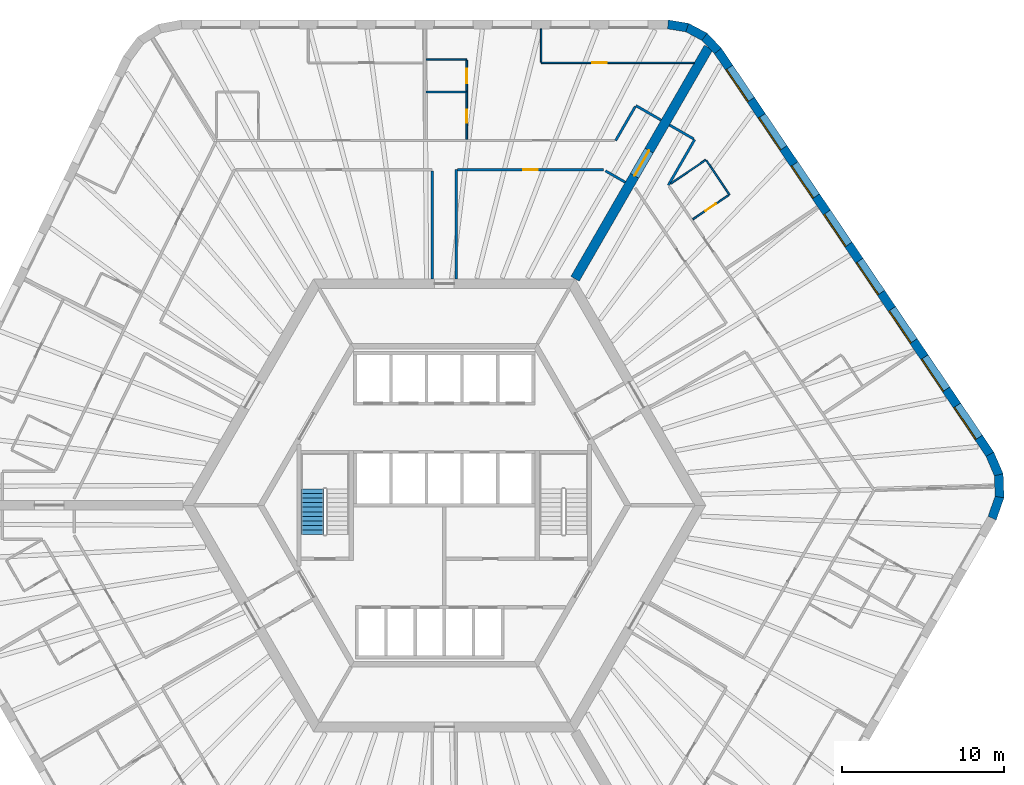
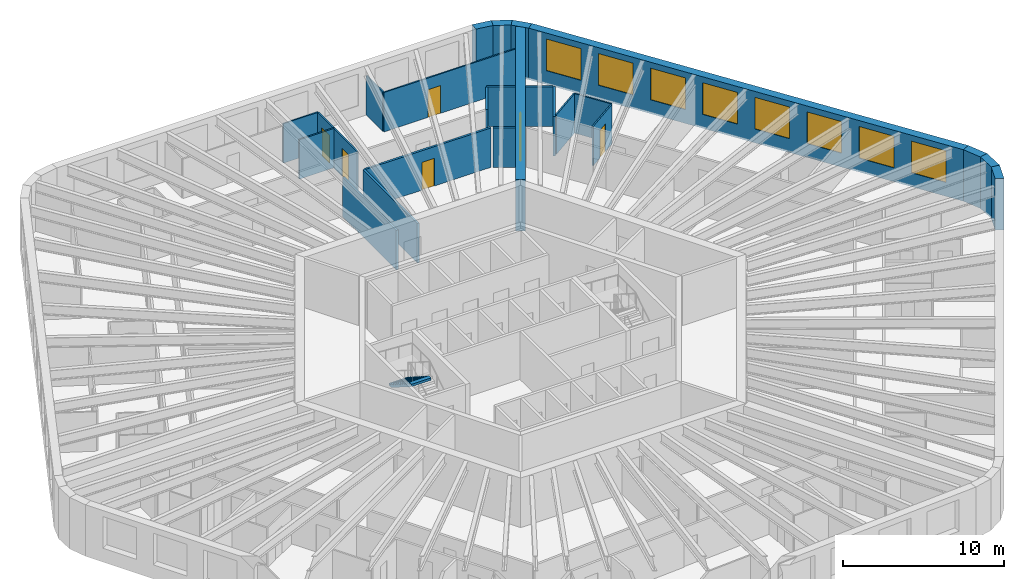
# One storey, part 10 of 12: 25 walls, 8 windows, 6 doors, 1 stair flight, 14 openings, 1 element without a shape of its own.
"""IFC4 building model written with IfcOpenShell, lengths in metres."""

from ifc_helpers import new_model, si_unit, direction, frame, frame_2d, origin, place, context, subcontext, project, spatial, polyline, rectangle, outline, extrude, material, layer, layer_set, type_object, element, fill, aggregate, save


model = new_model("IFC4")

# Units and contexts
model_context = context("Model", 3, precision=1e-05, world=origin(), true_north=direction((0.0, 1.0)))
body_context = subcontext(model_context, "Body", "Model", "MODEL_VIEW")
ifc_project = project(units=[si_unit("LENGTHUNIT", "METRE"), si_unit("AREAUNIT", "SQUARE_METRE"), si_unit("VOLUMEUNIT", "CUBIC_METRE"), si_unit("PLANEANGLEUNIT", "RADIAN"), si_unit("MASSUNIT", "GRAM", prefix="KILO")], contexts=[model_context])

# Site, building, storey
site_placement = place(None, origin())
site = spatial("IfcSite", under=ifc_project, at=site_placement, CompositionType="ELEMENT")
building_placement = place(site_placement, origin())
building = spatial("IfcBuilding", under=site, at=building_placement, Name="Tarnside Tower", CompositionType="ELEMENT")
storey_placement = place(building_placement, frame((0.0, 0.0, 53.10009765625)))
storey = spatial("IfcBuildingStorey", under=building, at=storey_placement, Name="L10", CompositionType="ELEMENT", Elevation=53.10009765625)

# Wall, opening, door
ifc_material_1 = material(Name="Gypsum board partition on steel studs", Category="steel")
ifc_layer_1 = layer(ifc_material_1, 0.10009765625)
ifc_layer_set_1 = layer_set([ifc_layer_1], Name="Bathroom wall 100")
wall_type_1 = type_object("IfcWallType", Name="Bathroom wall 100", PredefinedType="PARTITIONING", material=ifc_layer_set_1)
wall_1_placement = place(storey_placement, frame((1.388916015625, 25.550048828125, 0.0), z_axis=(0.0, 0.0, 1.0), x_axis=(0.0, -1.0, 0.0)))
wall_1 = element("IfcWall", 1, at=wall_1_placement, inside=storey, type_object=wall_type_1, Name="Bathroom wall 02072", PredefinedType="PARTITIONING", context=body_context, shape_type="SweptSolid", body=[
    extrude(rectangle(XDim=2.925048828125, YDim=0.10009765625, at=frame_2d((1.46240234375, 0.0))), origin(), (0.0, 0.0, 1.0), 2.98779296875),
])
opening_1_placement = place(wall_1_placement, frame((1.10009765625, 0.0, 0.0)))
opening_1 = element("IfcOpeningElement", 2, at=opening_1_placement, cuts=wall_1, Name="Opening D-B1", PredefinedType="OPENING", context=body_context, shape_type="SweptSolid", body=[
    extrude(rectangle(XDim=0.800048828125, YDim=2.10009765625, at=frame_2d((0.39990234375, 1.050048828125))), frame((0.0, 0.06005859375, 0.0), z_axis=(0.0, -1.0, 0.0), x_axis=(1.0, 0.0, 0.0)), (0.0, 0.0, 1.0), 0.1201171875),
])
ifc_material_2 = material(Name="Timber door leaf", Category="wood")
door_type_1 = type_object("IfcDoorType", Name="Bathroom door 800", OperationType="NOTDEFINED", PredefinedType="DOOR", material=ifc_material_2)
door_1_placement = place(opening_1_placement, origin())
door_1 = element("IfcDoor", 3, at=door_1_placement, inside=storey, type_object=door_type_1, Name="Bathroom door 02002", OperationType="SINGLE_SWING_LEFT", OverallHeight=2.10009765625, OverallWidth=0.800048828125, PredefinedType="DOOR", context=body_context, shape_type="SweptSolid", body=[
    extrude(rectangle(XDim=0.800048828125, YDim=2.10009765625, at=frame_2d((0.39990234375, 1.050048828125))), frame((0.0, 0.02490234375, 0.0), z_axis=(0.0, -1.0, 0.0), x_axis=(1.0, 0.0, 0.0)), (0.0, 0.0, 1.0), 0.050048828125),
])
fill(opening_1, door_1)

# Walls
wall_2_placement = place(storey_placement, frame((1.3388671875, 25.550048828125, 0.0), z_axis=(0.0, 0.0, 1.0), x_axis=(-1.0, 0.0, 0.0)))
element("IfcWall", 4, at=wall_2_placement, inside=storey, type_object=wall_type_1, Name="Bathroom wall 02078", PredefinedType="PARTITIONING", context=body_context, shape_type="SweptSolid", body=[
    extrude(rectangle(XDim=2.4599609375, YDim=0.10009765625, at=frame_2d((1.22998046875, 0.0))), origin(), (0.0, 0.0, 1.0), 2.98779296875),
])
wall_3_placement = place(storey_placement, frame((13.992919921875, 19.886474609375, 0.0), z_axis=(0.0, 0.0, 1.0), x_axis=(0.829009051057, 0.559235186005, 0.0)))
element("IfcWall", 5, at=wall_3_placement, inside=storey, type_object=wall_type_1, Name="Bathroom wall 02151", PredefinedType="PARTITIONING", context=body_context, shape_type="SweptSolid", body=[
    extrude(rectangle(XDim=2.62890625, YDim=0.10009765625, at=frame_2d((1.314453125, 0.0))), origin(), (0.0, 0.0, 1.0), 2.98779296875),
])
wall_4_placement = place(storey_placement, frame((16.200439453125, 21.315185546875, 0.0), z_axis=(0.0, 0.0, 1.0), x_axis=(0.559155442782, -0.829062838878, 0.0)))
element("IfcWall", 6, at=wall_4_placement, inside=storey, type_object=wall_type_1, Name="Bathroom wall 02152", PredefinedType="PARTITIONING", context=body_context, shape_type="SweptSolid", body=[
    extrude(rectangle(XDim=2.5498046875, YDim=0.10009765625, at=frame_2d((1.27490234375, 0.0))), origin(), (0.0, 0.0, 1.0), 2.98779296875),
])

# Wall, opening, door
wall_5_placement = place(storey_placement, frame((17.5849609375, 19.173095703125, 0.0), z_axis=(0.0, 0.0, 1.0), x_axis=(-0.82904753069, -0.559178139645, 0.0)))
wall_5 = element("IfcWall", 7, at=wall_5_placement, inside=storey, type_object=wall_type_1, Name="Bathroom wall 02153", PredefinedType="PARTITIONING", context=body_context, shape_type="SweptSolid", body=[
    extrude(rectangle(XDim=2.675048828125, YDim=0.10009765625, at=frame_2d((1.33740234375, 0.0))), origin(), (0.0, 0.0, 1.0), 2.98779296875),
])
opening_2_placement = place(wall_5_placement, frame((0.949951171875, 0.0, 0.0)))
opening_2 = element("IfcOpeningElement", 8, at=opening_2_placement, cuts=wall_5, Name="Opening D-B1", PredefinedType="OPENING", context=body_context, shape_type="SweptSolid", body=[
    extrude(rectangle(XDim=0.800048828125, YDim=2.10009765625, at=frame_2d((0.39990234375, 1.050048828125))), frame((0.0, 0.06005859375, 0.0), z_axis=(0.0, -1.0, 0.0), x_axis=(1.0, 0.0, 0.0)), (0.0, 0.0, 1.0), 0.1201171875),
])
door_2_placement = place(opening_2_placement, origin())
door_2 = element("IfcDoor", 9, at=door_2_placement, inside=storey, type_object=door_type_1, Name="Bathroom door 02040", OperationType="SINGLE_SWING_RIGHT", OverallHeight=2.10009765625, OverallWidth=0.800048828125, PredefinedType="DOOR", context=body_context, shape_type="SweptSolid", body=[
    extrude(rectangle(XDim=0.800048828125, YDim=2.10009765625, at=frame_2d((0.39990234375, 1.050048828125))), frame((0.0, 0.02490234375, 0.0), z_axis=(0.0, -1.0, 0.0), x_axis=(1.0, 0.0, 0.0)), (0.0, 0.0, 1.0), 0.050048828125),
])
fill(opening_2, door_2)

ifc_material_3 = material(Name="Concrete C80/95", Category="concrete")
ifc_layer_2 = layer(ifc_material_3, 0.60009765625)
ifc_layer_set_2 = layer_set([ifc_layer_2], Name="Core wall Z1 600 C80/95")
wall_type_2 = type_object("IfcWallType", Name="Core wall Z1 600 C80/95", PredefinedType="SHEAR", material=ifc_layer_set_2)
wall_6_placement = place(storey_placement, frame((8.0830078125, 14.0, -0.150146484375), z_axis=(0.0, 0.0, 1.0), x_axis=(0.499997680643, 0.866026742862, 0.0)))
wall_6 = element("IfcWall", 10, at=wall_6_placement, inside=storey, type_object=wall_type_2, Name="L10 spine wall 1", PredefinedType="SHEAR", context=body_context, shape_type="SweptSolid", body=[
    extrude(rectangle(XDim=16.5087890625, YDim=0.60009765625, at=frame_2d((8.25439453125, 0.0))), origin(), (0.0, 0.0, 1.0), 3.900146484375),
])
opening_3_placement = place(wall_6_placement, frame((7.3544921875, 0.0, 0.14990234375)))
opening_3 = element("IfcOpeningElement", 11, at=opening_3_placement, cuts=wall_6, Name="Opening CD-SPN", PredefinedType="OPENING", context=body_context, shape_type="SweptSolid", body=[
    extrude(rectangle(XDim=1.800048828125, YDim=2.39990234375, at=frame_2d((0.89990234375, 1.199951171875))), frame((0.0, 0.31005859375, 0.0), z_axis=(0.0, -1.0, 0.0), x_axis=(1.0, 0.0, 0.0)), (0.0, 0.0, 1.0), 0.6201171875),
])
ifc_material_4 = material(Name="Steel fire door", Category="steel")
door_type_2 = type_object("IfcDoorType", Name="Spine passage double door FD60 1800x2400", OperationType="NOTDEFINED", PredefinedType="DOOR", material=ifc_material_4)
door_3_placement = place(opening_3_placement, origin())
door_3 = element("IfcDoor", 12, at=door_3_placement, inside=storey, type_object=door_type_2, Name="L10 spine passage door 1", OperationType="DOUBLE_DOOR_SINGLE_SWING", OverallHeight=2.39990234375, OverallWidth=1.800048828125, PredefinedType="DOOR", context=body_context, shape_type="SweptSolid", body=[
    extrude(rectangle(XDim=1.800048828125, YDim=2.39990234375, at=frame_2d((0.89990234375, 1.199951171875))), frame((0.0, 0.02490234375, 0.0), z_axis=(0.0, -1.0, 0.0), x_axis=(1.0, 0.0, 0.0)), (0.0, 0.0, 1.0), 0.050048828125),
])
fill(opening_3, door_3)

# Walls
ifc_layer_3 = layer(ifc_material_1, 0.14990234375)
ifc_layer_set_3 = layer_set([ifc_layer_3], Name="Corridor wall 150 EI 60")
wall_type_3 = type_object("IfcWallType", Name="Corridor wall 150 EI 60", PredefinedType="PARTITIONING", material=ifc_layer_set_3)
wall_7_placement = place(storey_placement, frame((13.400390625, 23.81005859375, 0.0), z_axis=(0.0, 0.0, 1.0), x_axis=(-0.865989075817, 0.500062916607, 0.0)))
element("IfcWall", 13, at=wall_7_placement, inside=storey, type_object=wall_type_3, Name="Corridor wall 02001", PredefinedType="PARTITIONING", context=body_context, shape_type="SweptSolid", body=[
    extrude(rectangle(XDim=1.800048828125, YDim=0.14990234375, at=frame_2d((0.89990234375, 0.0))), origin(), (0.0, 0.0, 1.0), 2.98779296875),
])
wall_8_placement = place(storey_placement, frame((11.803955078125, 24.64501953125, 0.0), z_axis=(0.0, 0.0, 1.0), x_axis=(-0.499981632079, -0.866036008249, 0.0)))
element("IfcWall", 14, at=wall_8_placement, inside=storey, type_object=wall_type_3, Name="Corridor wall 02002", PredefinedType="PARTITIONING", context=body_context, shape_type="SweptSolid", body=[
    extrude(rectangle(XDim=2.4189453125, YDim=0.14990234375, at=frame_2d((1.20947265625, 0.0))), origin(), (0.0, 0.0, 1.0), 2.98779296875),
])
wall_9_placement = place(storey_placement, frame((-0.75, 20.675048828125, 0.0), z_axis=(0.0, 0.0, 1.0), x_axis=(0.0, -1.0, 0.0)))
element("IfcWall", 15, at=wall_9_placement, inside=storey, type_object=wall_type_3, Name="Corridor wall 02016", PredefinedType="PARTITIONING", context=body_context, shape_type="SweptSolid", body=[
    extrude(rectangle(XDim=6.675048828125, YDim=0.14990234375, at=frame_2d((3.33740234375, 0.0))), origin(), (0.0, 0.0, 1.0), 2.98779296875),
])
wall_10_placement = place(storey_placement, frame((0.75, 14.0, 0.0), z_axis=(0.0, 0.0, 1.0), x_axis=(0.0, 1.0, 0.0)))
element("IfcWall", 16, at=wall_10_placement, inside=storey, type_object=wall_type_3, Name="Corridor wall 02017", PredefinedType="PARTITIONING", context=body_context, shape_type="SweptSolid", body=[
    extrude(rectangle(XDim=6.75, YDim=0.14990234375, at=frame_2d((3.375, 0.0))), origin(), (0.0, 0.0, 1.0), 2.98779296875),
])

# Wall, opening, door
wall_11_placement = place(storey_placement, frame((0.824951171875, 20.75, 0.0), z_axis=(0.0, 0.0, 1.0), x_axis=(1.0, 0.0, 0.0)))
wall_11 = element("IfcWall", 17, at=wall_11_placement, inside=storey, type_object=wall_type_3, Name="Corridor wall 02018", PredefinedType="PARTITIONING", context=body_context, shape_type="SweptSolid", body=[
    extrude(rectangle(XDim=9.008056640625, YDim=0.14990234375, at=frame_2d((4.50390625, 0.0))), origin(), (0.0, 0.0, 1.0), 2.98779296875),
])
opening_4_placement = place(wall_11_placement, frame((4.053955078125, 0.0, 0.0)))
opening_4 = element("IfcOpeningElement", 18, at=opening_4_placement, cuts=wall_11, Name="Opening D-S1", PredefinedType="OPENING", context=body_context, shape_type="SweptSolid", body=[
    extrude(rectangle(XDim=0.89990234375, YDim=2.10009765625, at=frame_2d((0.449951171875, 1.050048828125))), frame((0.0, 0.0849609375, 0.0), z_axis=(0.0, -1.0, 0.0), x_axis=(1.0, 0.0, 0.0)), (0.0, 0.0, 1.0), 0.169921875),
])
door_type_3 = type_object("IfcDoorType", Name="Service room door 900 FD30S", OperationType="NOTDEFINED", PredefinedType="DOOR", material=ifc_material_2)
door_4_placement = place(opening_4_placement, origin())
door_4 = element("IfcDoor", 19, at=door_4_placement, inside=storey, type_object=door_type_3, Name="Service door 02042", OperationType="SINGLE_SWING_LEFT", OverallHeight=2.10009765625, OverallWidth=0.89990234375, PredefinedType="DOOR", context=body_context, shape_type="SweptSolid", body=[
    extrude(rectangle(XDim=0.89990234375, YDim=2.10009765625, at=frame_2d((0.449951171875, 1.050048828125))), frame((0.0, 0.02490234375, 0.0), z_axis=(0.0, -1.0, 0.0), x_axis=(1.0, 0.0, 0.0)), (0.0, 0.0, 1.0), 0.050048828125),
])
fill(opening_4, door_4)

# Walls
wall_12_placement = place(storey_placement, frame((9.962890625, 20.675048828125, 0.0), z_axis=(0.0, 0.0, 1.0), x_axis=(0.865963438852, -0.500107311056, 0.0)))
element("IfcWall", 20, at=wall_12_placement, inside=storey, type_object=wall_type_3, Name="Corridor wall 02019", PredefinedType="PARTITIONING", context=body_context, shape_type="SweptSolid", body=[
    extrude(rectangle(XDim=1.409423828125, YDim=0.14990234375, at=frame_2d((0.70458984375, 0.0))), origin(), (0.0, 0.0, 1.0), 2.98779296875),
])
wall_13_placement = place(storey_placement, frame((13.85107421875, 19.790771484375, 0.0), z_axis=(0.0, 0.0, 1.0), x_axis=(0.499986449875, 0.866033226812, 0.0)))
element("IfcWall", 21, at=wall_13_placement, inside=storey, type_object=wall_type_3, Name="Corridor wall 02059", PredefinedType="PARTITIONING", context=body_context, shape_type="SweptSolid", body=[
    extrude(rectangle(XDim=3.25537109375, YDim=0.14990234375, at=frame_2d((1.627685546875, 0.0))), origin(), (0.0, 0.0, 1.0), 2.98779296875),
])
wall_14_placement = place(storey_placement, frame((15.413818359375, 22.647705078125, 0.0), z_axis=(0.0, 0.0, 1.0), x_axis=(-0.866074815912, 0.499914405916, 0.0)))
element("IfcWall", 22, at=wall_14_placement, inside=storey, type_object=wall_type_3, Name="Corridor wall 02060", PredefinedType="PARTITIONING", context=body_context, shape_type="SweptSolid", body=[
    extrude(rectangle(XDim=1.724853515625, YDim=0.14990234375, at=frame_2d((0.8623046875, 0.0))), origin(), (0.0, 0.0, 1.0), 2.98779296875),
])
ifc_layer_4 = layer(ifc_material_1, 0.10009765625)
ifc_layer_set_4 = layer_set([ifc_layer_4], Name="Partition 100")
wall_type_4 = type_object("IfcWallType", Name="Partition 100", PredefinedType="PARTITIONING", material=ifc_layer_set_4)
wall_15_placement = place(storey_placement, frame((-1.12109375, 27.550048828125, 0.0), z_axis=(0.0, 0.0, 1.0), x_axis=(1.0, 0.0, 0.0)))
element("IfcWall", 23, at=wall_15_placement, inside=storey, type_object=wall_type_4, Name="Partition wall 02073", PredefinedType="PARTITIONING", context=body_context, shape_type="SweptSolid", body=[
    extrude(rectangle(XDim=2.510009765625, YDim=0.10009765625, at=frame_2d((1.2548828125, 0.0))), origin(), (0.0, 0.0, 1.0), 2.98779296875),
])

# Wall, opening, door
wall_16_placement = place(storey_placement, frame((1.388916015625, 27.5, 0.0), z_axis=(0.0, 0.0, 1.0), x_axis=(0.0, -1.0, 0.0)))
wall_16 = element("IfcWall", 24, at=wall_16_placement, inside=storey, type_object=wall_type_4, Name="Partition wall 02074", PredefinedType="PARTITIONING", context=body_context, shape_type="SweptSolid", body=[
    extrude(rectangle(XDim=1.89990234375, YDim=0.10009765625, at=frame_2d((0.949951171875, 0.0))), origin(), (0.0, 0.0, 1.0), 2.98779296875),
])
opening_5_placement = place(wall_16_placement, frame((0.5, 0.0, 0.0)))
opening_5 = element("IfcOpeningElement", 25, at=opening_5_placement, cuts=wall_16, Name="Opening D-I1", PredefinedType="OPENING", context=body_context, shape_type="SweptSolid", body=[
    extrude(rectangle(XDim=0.89990234375, YDim=2.10009765625, at=frame_2d((0.449951171875, 1.050048828125))), frame((0.0, 0.06005859375, 0.0), z_axis=(0.0, -1.0, 0.0), x_axis=(1.0, 0.0, 0.0)), (0.0, 0.0, 1.0), 0.1201171875),
])
door_type_4 = type_object("IfcDoorType", Name="Internal door 900", OperationType="NOTDEFINED", PredefinedType="DOOR", material=ifc_material_2)
door_5_placement = place(opening_5_placement, origin())
door_5 = element("IfcDoor", 26, at=door_5_placement, inside=storey, type_object=door_type_4, Name="Internal door 02003", OperationType="SINGLE_SWING_RIGHT", OverallHeight=2.10009765625, OverallWidth=0.89990234375, PredefinedType="DOOR", context=body_context, shape_type="SweptSolid", body=[
    extrude(rectangle(XDim=0.89990234375, YDim=2.10009765625, at=frame_2d((0.449951171875, 1.050048828125))), frame((0.0, 0.02490234375, 0.0), z_axis=(0.0, -1.0, 0.0), x_axis=(1.0, 0.0, 0.0)), (0.0, 0.0, 1.0), 0.050048828125),
])
fill(opening_5, door_5)

wall_17_placement = place(storey_placement, frame((15.444091796875, 27.35009765625, 0.0), z_axis=(0.0, 0.0, 1.0), x_axis=(-1.0, 0.0, 0.0)))
wall_17 = element("IfcWall", 27, at=wall_17_placement, inside=storey, type_object=wall_type_4, Name="Partition wall 02075", PredefinedType="PARTITIONING", context=body_context, shape_type="SweptSolid", body=[
    extrude(rectangle(XDim=9.455078125, YDim=0.10009765625, at=frame_2d((4.7275390625, 0.0))), origin(), (0.0, 0.0, 1.0), 2.98779296875),
])
opening_6_placement = place(wall_17_placement, frame((5.4052734375, 0.0, 0.0)))
opening_6 = element("IfcOpeningElement", 28, at=opening_6_placement, cuts=wall_17, Name="Opening D-I1", PredefinedType="OPENING", context=body_context, shape_type="SweptSolid", body=[
    extrude(rectangle(XDim=0.89990234375, YDim=2.10009765625, at=frame_2d((0.449951171875, 1.050048828125))), frame((0.0, 0.06005859375, 0.0), z_axis=(0.0, -1.0, 0.0), x_axis=(1.0, 0.0, 0.0)), (0.0, 0.0, 1.0), 0.1201171875),
])
door_6_placement = place(opening_6_placement, origin())
door_6 = element("IfcDoor", 29, at=door_6_placement, inside=storey, type_object=door_type_4, Name="Internal door 02004", OperationType="SINGLE_SWING_LEFT", OverallHeight=2.10009765625, OverallWidth=0.89990234375, PredefinedType="DOOR", context=body_context, shape_type="SweptSolid", body=[
    extrude(rectangle(XDim=0.89990234375, YDim=2.10009765625, at=frame_2d((0.449951171875, 1.050048828125))), frame((0.0, 0.02490234375, 0.0), z_axis=(0.0, -1.0, 0.0), x_axis=(1.0, 0.0, 0.0)), (0.0, 0.0, 1.0), 0.050048828125),
])
fill(opening_6, door_6)

# Walls
wall_18_placement = place(storey_placement, frame((5.989013671875, 27.39990234375, 0.0), z_axis=(0.0, 0.0, 1.0), x_axis=(0.0, 1.0, 0.0)))
element("IfcWall", 30, at=wall_18_placement, inside=storey, type_object=wall_type_4, Name="Partition wall 02076", PredefinedType="PARTITIONING", context=body_context, shape_type="SweptSolid", body=[
    extrude(rectangle(XDim=2.050048828125, YDim=0.10009765625, at=frame_2d((1.02490234375, 0.0))), origin(), (0.0, 0.0, 1.0), 2.98779296875),
])
ifc_material_5 = material(Name="Facing brick", Category="masonry")
ifc_layer_5 = layer(ifc_material_5, 0.10205078125)
ifc_material_6 = material(Name="Concrete C60/75 precast", Category="concrete")
ifc_layer_6 = layer(ifc_material_6, 0.347900390625)
ifc_material_7 = material(Name="Mineral wool insulation")
ifc_layer_7 = layer(ifc_material_7, 0.10009765625)
ifc_layer_set_5 = layer_set([ifc_layer_5, ifc_layer_6, ifc_layer_7], Name="Tube wall 550 brick faced")
wall_type_5 = type_object("IfcWallType", Name="Tube wall 550 brick faced", PredefinedType="SOLIDWALL", material=ifc_layer_set_5)
wall_19_placement = place(storey_placement, frame((33.865966796875, -0.79248046875, -0.150146484375), z_axis=(0.0, 0.0, 1.0), x_axis=(0.33111537203, 0.943590276765, 0.0)))
element("IfcWall", 31, at=wall_19_placement, inside=storey, type_object=wall_type_5, Name="Tube wall L10 F5 chord 17", PredefinedType="SOLIDWALL", context=body_context, shape_type="SweptSolid", body=[
    extrude(outline(polyline([(-0.025634765625, -0.27490234375), (1.4306640625, -0.27490234375), (1.3271484375, 0.27490234375), (0.025634765625, 0.27490234375), (-0.025634765625, -0.27490234375)])), origin(), (0.0, 0.0, 1.0), 3.900146484375),
])
wall_20_placement = place(storey_placement, frame((34.322509765625, 0.508544921875, -0.150146484375), z_axis=(0.0, 0.0, 1.0), x_axis=(-0.034876908462, 0.999391615562, 0.0)))
element("IfcWall", 32, at=wall_20_placement, inside=storey, type_object=wall_type_5, Name="Tube wall L10 F5 chord 18", PredefinedType="SOLIDWALL", context=body_context, shape_type="SweptSolid", body=[
    extrude(outline(polyline([(-0.0517578125, -0.27490234375), (1.4306640625, -0.27490234375), (1.3271484375, 0.27490234375), (0.0517578125, 0.27490234375), (-0.0517578125, -0.27490234375)])), origin(), (0.0, 0.0, 1.0), 3.900146484375),
])
wall_21_placement = place(storey_placement, frame((34.2744140625, 1.88671875, -0.150146484375), z_axis=(0.0, 0.0, 1.0), x_axis=(-0.396161342798, 0.918180913803, 0.0)))
element("IfcWall", 33, at=wall_21_placement, inside=storey, type_object=wall_type_5, Name="Tube wall L10 F5 chord 19", PredefinedType="SOLIDWALL", context=body_context, shape_type="SweptSolid", body=[
    extrude(outline(polyline([(-0.0517578125, -0.27490234375), (1.40478515625, -0.27490234375), (1.353515625, 0.27490234375), (0.0517578125, 0.27490234375), (-0.0517578125, -0.27490234375)])), origin(), (0.0, 0.0, 1.0), 3.900146484375),
])

# Wall, openings, windows
wall_22_placement = place(storey_placement, frame((33.72802734375, 3.153076171875, -0.150146484375), z_axis=(0.0, 0.0, 1.0), x_axis=(-0.559192411416, 0.82903790445, 0.0)))
wall_22 = element("IfcWall", 34, at=wall_22_placement, inside=storey, type_object=wall_type_5, Name="Tube wall L10 F6 flush 20", PredefinedType="SOLIDWALL", context=body_context, shape_type="SweptSolid", body=[
    extrude(outline(polyline([(-0.025634765625, -0.27490234375), (30.09326171875, -0.27490234375), (30.04833984375, 0.27490234375), (0.025634765625, 0.27490234375), (-0.025634765625, -0.27490234375)])), origin(), (0.0, 0.0, 1.0), 3.900146484375),
])
opening_7_placement = place(wall_22_placement, frame((1.235595703125, 0.0, 1.050048828125)))
opening_7 = element("IfcOpeningElement", 35, at=opening_7_placement, cuts=wall_22, Name="Opening WH", PredefinedType="OPENING", context=body_context, shape_type="SweptSolid", body=[
    extrude(rectangle(XDim=2.39990234375, YDim=2.39990234375, at=frame_2d((1.199951171875, 1.199951171875))), frame((0.0, 0.28515625, 0.0), z_axis=(0.0, -1.0, 0.0), x_axis=(1.0, 0.0, 0.0)), (0.0, 0.0, 1.0), 0.570068359375),
])
opening_8_placement = place(wall_22_placement, frame((4.83544921875, 0.0, 1.050048828125)))
opening_8 = element("IfcOpeningElement", 36, at=opening_8_placement, cuts=wall_22, Name="Opening WH", PredefinedType="OPENING", context=body_context, shape_type="SweptSolid", body=[
    extrude(rectangle(XDim=2.39990234375, YDim=2.39990234375, at=frame_2d((1.199951171875, 1.199951171875))), frame((0.0, 0.28515625, 0.0), z_axis=(0.0, -1.0, 0.0), x_axis=(1.0, 0.0, 0.0)), (0.0, 0.0, 1.0), 0.570068359375),
])
opening_9_placement = place(wall_22_placement, frame((8.435546875, 0.0, 1.050048828125)))
opening_9 = element("IfcOpeningElement", 37, at=opening_9_placement, cuts=wall_22, Name="Opening WH", PredefinedType="OPENING", context=body_context, shape_type="SweptSolid", body=[
    extrude(rectangle(XDim=2.39990234375, YDim=2.39990234375, at=frame_2d((1.199951171875, 1.199951171875))), frame((0.0, 0.28515625, 0.0), z_axis=(0.0, -1.0, 0.0), x_axis=(1.0, 0.0, 0.0)), (0.0, 0.0, 1.0), 0.570068359375),
])
opening_10_placement = place(wall_22_placement, frame((12.035400390625, 0.0, 1.050048828125)))
opening_10 = element("IfcOpeningElement", 38, at=opening_10_placement, cuts=wall_22, Name="Opening WH", PredefinedType="OPENING", context=body_context, shape_type="SweptSolid", body=[
    extrude(rectangle(XDim=2.39990234375, YDim=2.39990234375, at=frame_2d((1.199951171875, 1.199951171875))), frame((0.0, 0.28515625, 0.0), z_axis=(0.0, -1.0, 0.0), x_axis=(1.0, 0.0, 0.0)), (0.0, 0.0, 1.0), 0.570068359375),
])
opening_11_placement = place(wall_22_placement, frame((15.635498046875, 0.0, 1.050048828125)))
opening_11 = element("IfcOpeningElement", 39, at=opening_11_placement, cuts=wall_22, Name="Opening WH", PredefinedType="OPENING", context=body_context, shape_type="SweptSolid", body=[
    extrude(rectangle(XDim=2.39990234375, YDim=2.39990234375, at=frame_2d((1.199951171875, 1.199951171875))), frame((0.0, 0.28515625, 0.0), z_axis=(0.0, -1.0, 0.0), x_axis=(1.0, 0.0, 0.0)), (0.0, 0.0, 1.0), 0.570068359375),
])
opening_12_placement = place(wall_22_placement, frame((19.235595703125, 0.0, 1.050048828125)))
opening_12 = element("IfcOpeningElement", 40, at=opening_12_placement, cuts=wall_22, Name="Opening WH", PredefinedType="OPENING", context=body_context, shape_type="SweptSolid", body=[
    extrude(rectangle(XDim=2.39990234375, YDim=2.39990234375, at=frame_2d((1.199951171875, 1.199951171875))), frame((0.0, 0.28515625, 0.0), z_axis=(0.0, -1.0, 0.0), x_axis=(1.0, 0.0, 0.0)), (0.0, 0.0, 1.0), 0.570068359375),
])
opening_13_placement = place(wall_22_placement, frame((22.83544921875, 0.0, 1.050048828125)))
opening_13 = element("IfcOpeningElement", 41, at=opening_13_placement, cuts=wall_22, Name="Opening WH", PredefinedType="OPENING", context=body_context, shape_type="SweptSolid", body=[
    extrude(rectangle(XDim=2.39990234375, YDim=2.39990234375, at=frame_2d((1.199951171875, 1.199951171875))), frame((0.0, 0.28515625, 0.0), z_axis=(0.0, -1.0, 0.0), x_axis=(1.0, 0.0, 0.0)), (0.0, 0.0, 1.0), 0.570068359375),
])
opening_14_placement = place(wall_22_placement, frame((26.435546875, 0.0, 1.050048828125)))
opening_14 = element("IfcOpeningElement", 42, at=opening_14_placement, cuts=wall_22, Name="Opening WH", PredefinedType="OPENING", context=body_context, shape_type="SweptSolid", body=[
    extrude(rectangle(XDim=2.39990234375, YDim=2.39990234375, at=frame_2d((1.199951171875, 1.199951171875))), frame((0.0, 0.28515625, 0.0), z_axis=(0.0, -1.0, 0.0), x_axis=(1.0, 0.0, 0.0)), (0.0, 0.0, 1.0), 0.570068359375),
])
ifc_material_8 = material(Name="Aluminium-framed double glazing", Category="aluminium")
window_type = type_object("IfcWindowType", Name="Hotel window 2400 x 2400", PartitioningType="DOUBLE_PANEL_VERTICAL", PredefinedType="WINDOW", material=ifc_material_8)
window_1_placement = place(opening_7_placement, frame((0.0, 0.205078125, 0.0)))
window_1 = element("IfcWindow", 43, at=window_1_placement, inside=storey, type_object=window_type, Name="E.WN.L10.F6.00", OverallHeight=2.39990234375, OverallWidth=2.39990234375, PartitioningType="DOUBLE_PANEL_VERTICAL", PredefinedType="WINDOW", context=body_context, shape_type="SweptSolid", body=[
    extrude(rectangle(XDim=2.39990234375, YDim=2.39990234375, at=frame_2d((1.199951171875, 1.199951171875))), frame((0.0, 0.030029296875, 0.0), z_axis=(0.0, -1.0, 0.0), x_axis=(1.0, 0.0, 0.0)), (0.0, 0.0, 1.0), 0.06005859375),
])
fill(opening_7, window_1)
window_2_placement = place(opening_8_placement, frame((0.0, 0.205078125, 0.0)))
window_2 = element("IfcWindow", 44, at=window_2_placement, inside=storey, type_object=window_type, Name="E.WN.L10.F6.01", OverallHeight=2.39990234375, OverallWidth=2.39990234375, PartitioningType="DOUBLE_PANEL_VERTICAL", PredefinedType="WINDOW", context=body_context, shape_type="SweptSolid", body=[
    extrude(rectangle(XDim=2.39990234375, YDim=2.39990234375, at=frame_2d((1.199951171875, 1.199951171875))), frame((0.0, 0.030029296875, 0.0), z_axis=(0.0, -1.0, 0.0), x_axis=(1.0, 0.0, 0.0)), (0.0, 0.0, 1.0), 0.06005859375),
])
fill(opening_8, window_2)
window_3_placement = place(opening_9_placement, frame((0.0, 0.205078125, 0.0)))
window_3 = element("IfcWindow", 45, at=window_3_placement, inside=storey, type_object=window_type, Name="E.WN.L10.F6.02", OverallHeight=2.39990234375, OverallWidth=2.39990234375, PartitioningType="DOUBLE_PANEL_VERTICAL", PredefinedType="WINDOW", context=body_context, shape_type="SweptSolid", body=[
    extrude(rectangle(XDim=2.39990234375, YDim=2.39990234375, at=frame_2d((1.199951171875, 1.199951171875))), frame((0.0, 0.030029296875, 0.0), z_axis=(0.0, -1.0, 0.0), x_axis=(1.0, 0.0, 0.0)), (0.0, 0.0, 1.0), 0.06005859375),
])
fill(opening_9, window_3)
window_4_placement = place(opening_10_placement, frame((0.0, 0.205078125, 0.0)))
window_4 = element("IfcWindow", 46, at=window_4_placement, inside=storey, type_object=window_type, Name="E.WN.L10.F6.03", OverallHeight=2.39990234375, OverallWidth=2.39990234375, PartitioningType="DOUBLE_PANEL_VERTICAL", PredefinedType="WINDOW", context=body_context, shape_type="SweptSolid", body=[
    extrude(rectangle(XDim=2.39990234375, YDim=2.39990234375, at=frame_2d((1.199951171875, 1.199951171875))), frame((0.0, 0.030029296875, 0.0), z_axis=(0.0, -1.0, 0.0), x_axis=(1.0, 0.0, 0.0)), (0.0, 0.0, 1.0), 0.06005859375),
])
fill(opening_10, window_4)
window_5_placement = place(opening_11_placement, frame((0.0, 0.205078125, 0.0)))
window_5 = element("IfcWindow", 47, at=window_5_placement, inside=storey, type_object=window_type, Name="E.WN.L10.F6.04", OverallHeight=2.39990234375, OverallWidth=2.39990234375, PartitioningType="DOUBLE_PANEL_VERTICAL", PredefinedType="WINDOW", context=body_context, shape_type="SweptSolid", body=[
    extrude(rectangle(XDim=2.39990234375, YDim=2.39990234375, at=frame_2d((1.199951171875, 1.199951171875))), frame((0.0, 0.030029296875, 0.0), z_axis=(0.0, -1.0, 0.0), x_axis=(1.0, 0.0, 0.0)), (0.0, 0.0, 1.0), 0.06005859375),
])
fill(opening_11, window_5)
window_6_placement = place(opening_12_placement, frame((0.0, 0.205078125, 0.0)))
window_6 = element("IfcWindow", 48, at=window_6_placement, inside=storey, type_object=window_type, Name="E.WN.L10.F6.05", OverallHeight=2.39990234375, OverallWidth=2.39990234375, PartitioningType="DOUBLE_PANEL_VERTICAL", PredefinedType="WINDOW", context=body_context, shape_type="SweptSolid", body=[
    extrude(rectangle(XDim=2.39990234375, YDim=2.39990234375, at=frame_2d((1.199951171875, 1.199951171875))), frame((0.0, 0.030029296875, 0.0), z_axis=(0.0, -1.0, 0.0), x_axis=(1.0, 0.0, 0.0)), (0.0, 0.0, 1.0), 0.06005859375),
])
fill(opening_12, window_6)
window_7_placement = place(opening_13_placement, frame((0.0, 0.205078125, 0.0)))
window_7 = element("IfcWindow", 49, at=window_7_placement, inside=storey, type_object=window_type, Name="E.WN.L10.F6.06", OverallHeight=2.39990234375, OverallWidth=2.39990234375, PartitioningType="DOUBLE_PANEL_VERTICAL", PredefinedType="WINDOW", context=body_context, shape_type="SweptSolid", body=[
    extrude(rectangle(XDim=2.39990234375, YDim=2.39990234375, at=frame_2d((1.199951171875, 1.199951171875))), frame((0.0, 0.030029296875, 0.0), z_axis=(0.0, -1.0, 0.0), x_axis=(1.0, 0.0, 0.0)), (0.0, 0.0, 1.0), 0.06005859375),
])
fill(opening_13, window_7)
window_8_placement = place(opening_14_placement, frame((0.0, 0.205078125, 0.0)))
window_8 = element("IfcWindow", 50, at=window_8_placement, inside=storey, type_object=window_type, Name="E.WN.L10.F6.07", OverallHeight=2.39990234375, OverallWidth=2.39990234375, PartitioningType="DOUBLE_PANEL_VERTICAL", PredefinedType="WINDOW", context=body_context, shape_type="SweptSolid", body=[
    extrude(rectangle(XDim=2.39990234375, YDim=2.39990234375, at=frame_2d((1.199951171875, 1.199951171875))), frame((0.0, 0.030029296875, 0.0), z_axis=(0.0, -1.0, 0.0), x_axis=(1.0, 0.0, 0.0)), (0.0, 0.0, 1.0), 0.06005859375),
])
fill(opening_14, window_8)

# Walls
wall_23_placement = place(storey_placement, frame((16.91259765625, 28.0830078125, -0.150146484375), z_axis=(0.0, 0.0, 1.0), x_axis=(-0.686196220404, 0.727416488061, 0.0)))
element("IfcWall", 51, at=wall_23_placement, inside=storey, type_object=wall_type_5, Name="Tube wall L10 F6 chord 21", PredefinedType="SOLIDWALL", context=body_context, shape_type="SweptSolid", body=[
    extrude(outline(polyline([(-0.0224609375, -0.27490234375), (1.25341796875, -0.27490234375), (1.1630859375, 0.27490234375), (0.0224609375, 0.27490234375), (-0.0224609375, -0.27490234375)])), origin(), (0.0, 0.0, 1.0), 3.900146484375),
])
wall_24_placement = place(storey_placement, frame((16.08349609375, 28.9619140625, -0.150146484375), z_axis=(0.0, 0.0, 1.0), x_axis=(-0.882995347911, 0.469381737574, 0.0)))
element("IfcWall", 52, at=wall_24_placement, inside=storey, type_object=wall_type_5, Name="Tube wall L10 F6 chord 22", PredefinedType="SOLIDWALL", context=body_context, shape_type="SweptSolid", body=[
    extrude(outline(polyline([(-0.045166015625, -0.27490234375), (1.25341796875, -0.27490234375), (1.1630859375, 0.27490234375), (0.045166015625, 0.27490234375), (-0.045166015625, -0.27490234375)])), origin(), (0.0, 0.0, 1.0), 3.900146484375),
])
wall_25_placement = place(storey_placement, frame((15.0166015625, 29.529052734375, -0.150146484375), z_axis=(0.0, 0.0, 1.0), x_axis=(-0.986746625868, 0.162268593195, 0.0)))
element("IfcWall", 53, at=wall_25_placement, inside=storey, type_object=wall_type_5, Name="Tube wall L10 F6 chord 23", PredefinedType="SOLIDWALL", context=body_context, shape_type="SweptSolid", body=[
    extrude(outline(polyline([(-0.045166015625, -0.27490234375), (1.230712890625, -0.27490234375), (1.185791015625, 0.27490234375), (0.045166015625, 0.27490234375), (-0.045166015625, -0.27490234375)])), origin(), (0.0, 0.0, 1.0), 3.900146484375),
])

# Stair, stair flight
ifc_material_9 = material(Name="Concrete C40/50", Category="concrete")
stair_type = type_object("IfcStairType", Name="Exit stair 1400 clear", PredefinedType="HALF_TURN_STAIR", material=ifc_material_9)
stair_placement = place(storey_placement, origin())
stair = element("IfcStair", 54, at=stair_placement, inside=storey, type_object=stair_type, Name="L10 Exit stair 2", PredefinedType="HALF_TURN_STAIR")
stair_flight_type = type_object("IfcStairFlightType", Name="Exit stair flight 1400", PredefinedType="STRAIGHT", material=ifc_material_9)
stair_flight_placement = place(storey_placement, frame((-8.14990234375, 1.0, 1.949951171875), z_axis=(0.0, 0.0, 1.0), x_axis=(0.0, -1.0, 0.0)))
stair_flight = element("IfcStairFlight", 55, at=stair_flight_placement, type_object=stair_flight_type, Name="ST2 flight 2", NumberOfRisers=11, NumberOfTreads=10, PredefinedType="STRAIGHT", RiserHeight=0.177272727, TreadLength=0.28, context=body_context, shape_type="SweptSolid", body=[
    extrude(outline(polyline([(0.0, 0.0), (0.0, 0.17724609375), (0.280029296875, 0.17724609375), (0.280029296875, 0.3544921875), (0.56005859375, 0.3544921875), (0.56005859375, 0.53173828125), (0.840087890625, 0.53173828125), (0.840087890625, 0.708984375), (1.1201171875, 0.708984375), (1.1201171875, 0.886474609375), (1.39990234375, 0.886474609375), (1.39990234375, 1.063720703125), (1.679931640625, 1.063720703125), (1.679931640625, 1.240966796875), (1.9599609375, 1.240966796875), (1.9599609375, 1.418212890625), (2.239990234375, 1.418212890625), (2.239990234375, 1.595458984375), (2.52001953125, 1.595458984375), (2.52001953125, 1.772705078125), (2.800048828125, 1.772705078125), (2.800048828125, 1.949951171875), (2.800048828125, 1.59521484375), (0.2802734375, 0.0), (0.0, 0.0)])), frame((0.0, 0.699951171875, 0.0), z_axis=(0.0, -1.0, 0.0), x_axis=(1.0, 0.0, 0.0)), (0.0, 0.0, 1.0), 1.39990234375),
])
aggregate(stair, [stair_flight])

save(model, "model.ifc")
